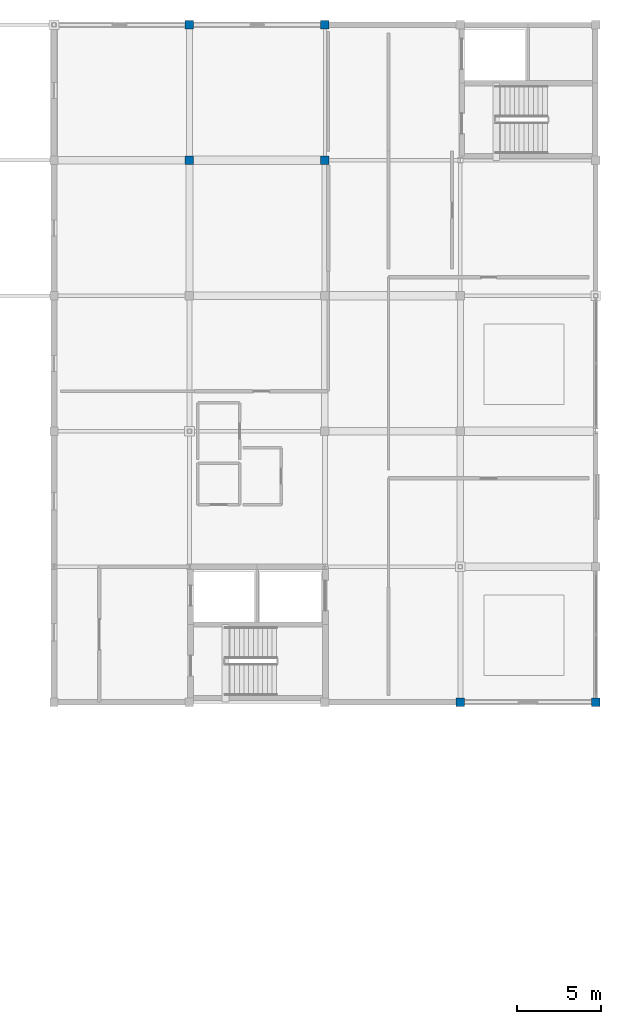
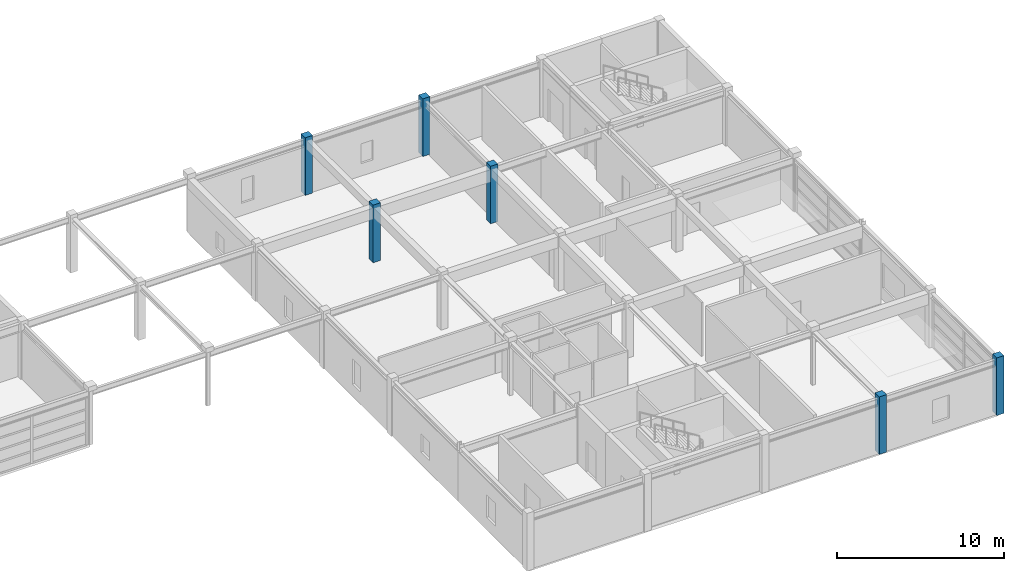
# One storey, part 8 of 26: 6 columns.
"""IFC4 building model written with IfcOpenShell, lengths in metres."""

from ifc_helpers import new_model, si_unit, direction, frame, origin, origin_2d, place, context, subcontext, project, spatial, rectangle, extrude, material, material_profile, profile_set, type_object, element, save


model = new_model("IFC4")

# Units and contexts
model_context = context("Model", 3, precision=1e-05, world=origin(), true_north=direction((0.0, 1.0)))
body_context = subcontext(model_context, "Body", "Model", "MODEL_VIEW")
ifc_project = project(units=[si_unit("LENGTHUNIT", "METRE"), si_unit("AREAUNIT", "SQUARE_METRE"), si_unit("VOLUMEUNIT", "CUBIC_METRE"), si_unit("PLANEANGLEUNIT", "RADIAN"), si_unit("MASSUNIT", "GRAM", prefix="KILO")], contexts=[model_context])

# Site, building, storey
site_placement = place(None, origin())
site = spatial("IfcSite", under=ifc_project, at=site_placement, CompositionType="ELEMENT")
building_placement = place(site_placement, origin())
building = spatial("IfcBuilding", under=site, at=building_placement, Name="Parian Resonance Hall", CompositionType="ELEMENT")
storey_placement = place(building_placement, frame((0.0, 0.0, 19.199951171875)))
storey = spatial("IfcBuildingStorey", under=building, at=storey_placement, Name="L04", CompositionType="ELEMENT", Elevation=19.199951171875)

# Columns
ifc_material = material(Name="Concrete C40/50", Category="concrete")
ifc_material_profile = material_profile(ifc_material, rectangle(XDim=0.5, YDim=0.5, at=origin_2d()), Name="RC-COL-500x500")
ifc_profile_set = profile_set([ifc_material_profile], Name="Concrete C40/50")
column_type = type_object("IfcColumnType", Name="COL-RC500", PredefinedType="COLUMN", material=ifc_profile_set)
for number, where, z_axis, x_axis, name in (
    (1, (121.5, 81.0, 0.0), (0.0, 0.0, 1.0), (1.0, 0.0, 0.0), "Column G16-11 L04"),
    (2, (121.5, 89.10009765625, 0.0), (0.0, 0.0, 1.0), (1.0, 0.0, 0.0), "Column G16-12 L04"),
    (3, (129.60009765625, 81.0, 0.0), (0.0, 0.0, 1.0), (1.0, 0.0, 0.0), "Column G17-11 L04"),
    (4, (129.60009765625, 89.10009765625, 0.0), (0.0, 0.0, 1.0), (1.0, 0.0, 0.0), "Column G17-12 L04"),
    (5, (137.699951171875, 48.60009765625, 0.0), (0.0, 0.0, 1.0), (1.0, 0.0, 0.0), "Column G18-07 L04"),
    (6, (145.800048828125, 48.60009765625, 0.0), (0.0, 0.0, 1.0), (1.0, 0.0, 0.0), "Column G19-07 L04"),
):
    element("IfcColumn", number, at=place(storey_placement, frame(where, z_axis=z_axis, x_axis=x_axis)), inside=storey, type_object=column_type, Name=name, PredefinedType="COLUMN", context=body_context, shape_type="SweptSolid", body=[
        extrude(rectangle(XDim=0.5, YDim=0.5, at=origin_2d()), origin(), (0.0, 0.0, 1.0), 4.199951171875),
    ])

save(model, "model.ifc")
